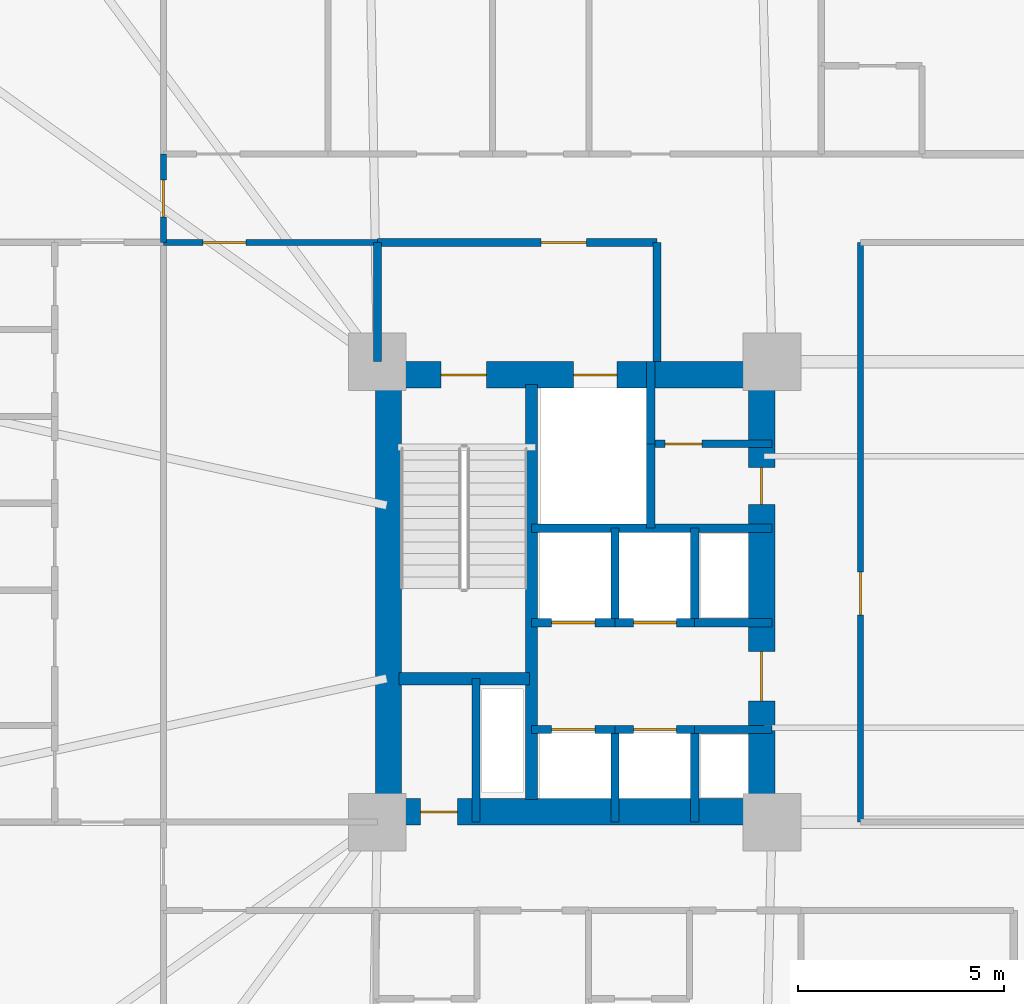
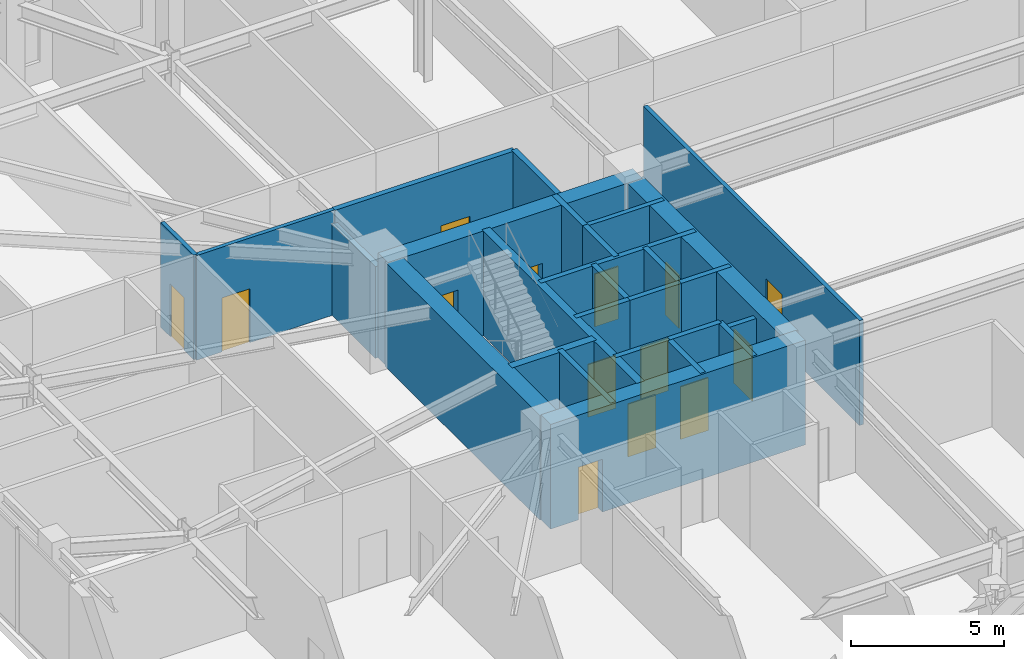
# One storey, part 12 of 21: 27 walls, 14 doors, 14 openings.
"""IFC4 building model written with IfcOpenShell, lengths in metres."""

from ifc_helpers import new_model, si_unit, direction, frame, frame_2d, origin, place, context, subcontext, project, spatial, rectangle, extrude, material, layer, layer_set, type_object, element, fill, save


model = new_model("IFC4")

# Units and contexts
model_context = context("Model", 3, precision=1e-05, world=origin(), true_north=direction((0.0, 1.0)))
body_context = subcontext(model_context, "Body", "Model", "MODEL_VIEW")
ifc_project = project(units=[si_unit("LENGTHUNIT", "METRE"), si_unit("AREAUNIT", "SQUARE_METRE"), si_unit("VOLUMEUNIT", "CUBIC_METRE"), si_unit("PLANEANGLEUNIT", "RADIAN"), si_unit("MASSUNIT", "GRAM", prefix="KILO")], contexts=[model_context])

# Site, building, storey
site_placement = place(None, origin())
site = spatial("IfcSite", under=ifc_project, at=site_placement, CompositionType="ELEMENT")
building_placement = place(site_placement, origin())
building = spatial("IfcBuilding", under=site, at=building_placement, Name="Qobustan Lattice House", CompositionType="ELEMENT")
storey_placement = place(building_placement, frame((0.0, 0.0, 18.0)))
storey = spatial("IfcBuildingStorey", under=building, at=storey_placement, Name="L04", CompositionType="ELEMENT", Elevation=18.0)

# Wall, openings, doors
ifc_material_1 = material(Name="Concrete C60/75", Category="concrete")
ifc_layer_1 = layer(ifc_material_1, 0.639892578125)
ifc_layer_set_1 = layer_set([ifc_layer_1], Name="Concrete C60/75")
wall_type_1 = type_object("IfcWallType", Name="WAL-CORE-640", PredefinedType="SHEAR", material=ifc_layer_set_1)
wall_1_placement = place(storey_placement, frame((-18.800048828125, 5.280029296875, 0.0), z_axis=(0.0, 0.0, 1.0), x_axis=(1.0, 0.0, 0.0)))
wall_1 = element("IfcWall", 1, at=wall_1_placement, inside=storey, type_object=wall_type_1, Name="L04 split-core shear wall CW-N", PredefinedType="SHEAR", context=body_context, shape_type="SweptSolid", body=[
    extrude(rectangle(XDim=9.60009765625, YDim=0.639892578125, at=frame_2d((4.800048828125, 0.0))), origin(), (0.0, 0.0, 1.0), 4.169921875),
])
opening_1_placement = place(wall_1_placement, frame((1.550048828125, 0.0, 0.0)))
opening_1 = element("IfcOpeningElement", 2, at=opening_1_placement, cuts=wall_1, Name="Opening SD-01", PredefinedType="OPENING", context=body_context, shape_type="SweptSolid", body=[
    extrude(rectangle(XDim=1.10009765625, YDim=2.14990234375, at=frame_2d((0.550048828125, 1.074951171875))), frame((0.0, 0.329833984375, 0.0), z_axis=(0.0, -1.0, 0.0), x_axis=(1.0, 0.0, 0.0)), (0.0, 0.0, 1.0), 0.659912109375),
])
opening_2_placement = place(wall_1_placement, frame((4.77490234375, 0.0, 0.0)))
opening_2 = element("IfcOpeningElement", 3, at=opening_2_placement, cuts=wall_1, Name="Opening LD-01", PredefinedType="OPENING", context=body_context, shape_type="SweptSolid", body=[
    extrude(rectangle(XDim=1.050048828125, YDim=2.10009765625, at=frame_2d((0.52490234375, 1.050048828125))), frame((0.0, 0.329833984375, 0.0), z_axis=(0.0, -1.0, 0.0), x_axis=(1.0, 0.0, 0.0)), (0.0, 0.0, 1.0), 0.659912109375),
])
ifc_material_2 = material(Name="Persian walnut timber and steel frame door", Category="steel")
door_type_1 = type_object("IfcDoorType", Name="DOR-LIFT-LD-1050x2100", OperationType="NOTDEFINED", PredefinedType="DOOR", material=ifc_material_2)
door_1_placement = place(opening_2_placement, origin())
door_1 = element("IfcDoor", 4, at=door_1_placement, inside=storey, type_object=door_type_1, Name="L04 firefighting lift FF-W landing door", OperationType="DOUBLE_DOOR_SLIDING", OverallHeight=2.10009765625, OverallWidth=1.050048828125, PredefinedType="DOOR", context=body_context, shape_type="SweptSolid", body=[
    extrude(rectangle(XDim=1.050048828125, YDim=2.10009765625, at=frame_2d((0.52490234375, 1.050048828125))), frame((0.0, 0.02490234375, 0.0), z_axis=(0.0, -1.0, 0.0), x_axis=(1.0, 0.0, 0.0)), (0.0, 0.0, 1.0), 0.050048828125),
])
fill(opening_2, door_1)
ifc_material_3 = material(Name="Persian walnut timber and steel frame door", Category="steel")
door_type_2 = type_object("IfcDoorType", Name="DOR-STAIR-FD-1100x2150", OperationType="NOTDEFINED", PredefinedType="DOOR", material=ifc_material_3)
door_2_placement = place(opening_1_placement, origin())
door_2 = element("IfcDoor", 5, at=door_2_placement, inside=storey, type_object=door_type_2, Name="L04 exit stair ST-W1 fire door", OperationType="SINGLE_SWING_LEFT", OverallHeight=2.14990234375, OverallWidth=1.10009765625, PredefinedType="DOOR", context=body_context, shape_type="SweptSolid", body=[
    extrude(rectangle(XDim=1.10009765625, YDim=2.14990234375, at=frame_2d((0.550048828125, 1.074951171875))), frame((0.0, 0.02490234375, 0.0), z_axis=(0.0, -1.0, 0.0), x_axis=(1.0, 0.0, 0.0)), (0.0, 0.0, 1.0), 0.050048828125),
])
fill(opening_1, door_2)

# Wall, opening, door
wall_2_placement = place(storey_placement, frame((-18.800048828125, -5.35009765625, 0.0), z_axis=(0.0, 0.0, 1.0), x_axis=(1.0, 0.0, 0.0)))
wall_2 = element("IfcWall", 6, at=wall_2_placement, inside=storey, type_object=wall_type_1, Name="L04 split-core shear wall CW-S", PredefinedType="SHEAR", context=body_context, shape_type="SweptSolid", body=[
    extrude(rectangle(XDim=9.60009765625, YDim=0.639892578125, at=frame_2d((4.800048828125, 0.0))), origin(), (0.0, 0.0, 1.0), 4.169921875),
])
opening_3_placement = place(wall_2_placement, frame((1.050048828125, 0.0, 0.0)))
opening_3 = element("IfcOpeningElement", 7, at=opening_3_placement, cuts=wall_2, Name="Opening RD-01", PredefinedType="OPENING", context=body_context, shape_type="SweptSolid", body=[
    extrude(rectangle(XDim=0.89990234375, YDim=2.10009765625, at=frame_2d((0.449951171875, 1.050048828125))), frame((0.0, 0.329833984375, 0.0), z_axis=(0.0, -1.0, 0.0), x_axis=(1.0, 0.0, 0.0)), (0.0, 0.0, 1.0), 0.659912109375),
])
ifc_material_4 = material(Name="Persian walnut timber and steel frame door", Category="steel")
door_type_3 = type_object("IfcDoorType", Name="DOR-RISER-FD-900x2100", OperationType="NOTDEFINED", PredefinedType="DOOR", material=ifc_material_4)
door_3_placement = place(opening_3_placement, origin())
door_3 = element("IfcDoor", 8, at=door_3_placement, inside=storey, type_object=door_type_3, Name="L04 core service riser access door W", OperationType="SINGLE_SWING_LEFT", OverallHeight=2.10009765625, OverallWidth=0.89990234375, PredefinedType="DOOR", context=body_context, shape_type="SweptSolid", body=[
    extrude(rectangle(XDim=0.89990234375, YDim=2.10009765625, at=frame_2d((0.449951171875, 1.050048828125))), frame((0.0, 0.02490234375, 0.0), z_axis=(0.0, -1.0, 0.0), x_axis=(1.0, 0.0, 0.0)), (0.0, 0.0, 1.0), 0.050048828125),
])
fill(opening_3, door_3)

# Wall
wall_3_placement = place(storey_placement, frame((-18.530029296875, -5.050048828125, 0.0), z_axis=(0.0, 0.0, 1.0), x_axis=(0.0, 1.0, 0.0)))
element("IfcWall", 9, at=wall_3_placement, inside=storey, type_object=wall_type_1, Name="L04 split-core shear wall CW-W", PredefinedType="SHEAR", context=body_context, shape_type="SweptSolid", body=[
    extrude(rectangle(XDim=10.10009765625, YDim=0.639892578125, at=frame_2d((5.050048828125, 0.0))), origin(), (0.0, 0.0, 1.0), 4.169921875),
])

# Wall, openings, doors
wall_4_placement = place(storey_placement, frame((-9.449951171875, -5.050048828125, 0.0), z_axis=(0.0, 0.0, 1.0), x_axis=(0.0, 1.0, 0.0)))
wall_4 = element("IfcWall", 10, at=wall_4_placement, inside=storey, type_object=wall_type_1, Name="L04 split-core shear wall CW-E", PredefinedType="SHEAR", context=body_context, shape_type="SweptSolid", body=[
    extrude(rectangle(XDim=10.10009765625, YDim=0.639892578125, at=frame_2d((5.050048828125, 0.0))), origin(), (0.0, 0.0, 1.0), 4.169921875),
])
opening_4_placement = place(wall_4_placement, frame((7.175048828125, 0.0, 0.0)))
opening_4 = element("IfcOpeningElement", 11, at=opening_4_placement, cuts=wall_4, Name="Opening RD-01", PredefinedType="OPENING", context=body_context, shape_type="SweptSolid", body=[
    extrude(rectangle(XDim=0.89990234375, YDim=2.10009765625, at=frame_2d((0.449951171875, 1.050048828125))), frame((0.0, 0.329833984375, 0.0), z_axis=(0.0, -1.0, 0.0), x_axis=(1.0, 0.0, 0.0)), (0.0, 0.0, 1.0), 0.659912109375),
])
opening_5_placement = place(wall_4_placement, frame((2.39990234375, 0.0, 0.0)))
opening_5 = element("IfcOpeningElement", 12, at=opening_5_placement, cuts=wall_4, Name="Opening FD-01", PredefinedType="OPENING", context=body_context, shape_type="SweptSolid", body=[
    extrude(rectangle(XDim=1.199951171875, YDim=2.14990234375, at=frame_2d((0.60009765625, 1.074951171875))), frame((0.0, 0.329833984375, 0.0), z_axis=(0.0, -1.0, 0.0), x_axis=(1.0, 0.0, 0.0)), (0.0, 0.0, 1.0), 0.659912109375),
])
ifc_material_5 = material(Name="Persian walnut timber and steel frame door", Category="steel")
door_type_4 = type_object("IfcDoorType", Name="DOR-LOBBY-FD-1200x2150", OperationType="NOTDEFINED", PredefinedType="DOOR", material=ifc_material_5)
door_4_placement = place(opening_5_placement, origin())
door_4 = element("IfcDoor", 13, at=door_4_placement, inside=storey, type_object=door_type_4, Name="L04 West passenger lift lobby fire door", OperationType="SINGLE_SWING_LEFT", OverallHeight=2.14990234375, OverallWidth=1.199951171875, PredefinedType="DOOR", context=body_context, shape_type="SweptSolid", body=[
    extrude(rectangle(XDim=1.199951171875, YDim=2.14990234375, at=frame_2d((0.60009765625, 1.074951171875))), frame((0.0, 0.02490234375, 0.0), z_axis=(0.0, -1.0, 0.0), x_axis=(1.0, 0.0, 0.0)), (0.0, 0.0, 1.0), 0.050048828125),
])
fill(opening_5, door_4)
door_5_placement = place(opening_4_placement, origin())
door_5 = element("IfcDoor", 14, at=door_5_placement, inside=storey, type_object=door_type_3, Name="L04 Core utility lobby fire door", OperationType="SINGLE_SWING_RIGHT", OverallHeight=2.10009765625, OverallWidth=0.89990234375, PredefinedType="DOOR", context=body_context, shape_type="SweptSolid", body=[
    extrude(rectangle(XDim=0.89990234375, YDim=2.10009765625, at=frame_2d((0.449951171875, 1.050048828125))), frame((0.0, 0.02490234375, 0.0), z_axis=(0.0, -1.0, 0.0), x_axis=(1.0, 0.0, 0.0)), (0.0, 0.0, 1.0), 0.050048828125),
])
fill(opening_4, door_5)

# Walls
ifc_material_6 = material(Name="Concrete C50/60", Category="concrete")
ifc_layer_2 = layer(ifc_material_6, 0.280029296875)
ifc_layer_set_2 = layer_set([ifc_layer_2], Name="Concrete C50/60")
wall_type_2 = type_object("IfcWallType", Name="WAL-CORE-SPINE-280", PredefinedType="SHEAR", material=ifc_layer_set_2)
wall_5_placement = place(storey_placement, frame((-15.050048828125, -5.050048828125, 0.0), z_axis=(0.0, 0.0, 1.0), x_axis=(0.0, 1.0, 0.0)))
element("IfcWall", 15, at=wall_5_placement, inside=storey, type_object=wall_type_2, Name="L04 split-core shear wall CW-M", PredefinedType="SHEAR", context=body_context, shape_type="SweptSolid", body=[
    extrude(rectangle(XDim=10.10009765625, YDim=0.300048828125, at=frame_2d((5.050048828125, 0.0))), origin(), (0.0, 0.0, 1.0), 4.169921875),
])
wall_6_placement = place(storey_placement, frame((-18.280029296875, -2.110107421875, 0.0), z_axis=(0.0, 0.0, 1.0), x_axis=(1.0, 0.0, 0.0)))
element("IfcWall", 16, at=wall_6_placement, inside=storey, type_object=wall_type_2, Name="L04 split-core shear wall CW-ST", PredefinedType="SHEAR", context=body_context, shape_type="SweptSolid", body=[
    extrude(rectangle(XDim=3.179931640625, YDim=0.300048828125, at=frame_2d((1.58984375, 0.0))), origin(), (0.0, 0.0, 1.0), 4.169921875),
])

# Wall, opening, door
ifc_material_7 = material(Name="Gypsum fireboard acoustic partition", Category="gypsum")
ifc_layer_3 = layer(ifc_material_7, 0.179931640625)
ifc_layer_set_3 = layer_set([ifc_layer_3], Name="Gypsum fireboard acoustic partition")
wall_type_3 = type_object("IfcWallType", Name="WAL-FIRE-180", PredefinedType="PARTITIONING", material=ifc_layer_set_3)
wall_7_placement = place(storey_placement, frame((-9.199951171875, 3.60009765625, 0.0), z_axis=(0.0, 0.0, 1.0), x_axis=(-1.0, 0.0, 0.0)))
wall_7 = element("IfcWall", 17, at=wall_7_placement, inside=storey, type_object=wall_type_3, Name="L04 interior partition 7", PredefinedType="PARTITIONING", context=body_context, shape_type="SweptSolid", body=[
    extrude(rectangle(XDim=2.949951171875, YDim=0.179931640625, at=frame_2d((1.47509765625, 0.0))), origin(), (0.0, 0.0, 1.0), 4.169921875),
])
opening_6_placement = place(wall_7_placement, frame((1.699951171875, 0.0, 0.0)))
opening_6 = element("IfcOpeningElement", 18, at=opening_6_placement, cuts=wall_7, Name="Opening RD-01", PredefinedType="OPENING", context=body_context, shape_type="SweptSolid", body=[
    extrude(rectangle(XDim=0.89990234375, YDim=2.10009765625, at=frame_2d((0.449951171875, 1.050048828125))), frame((0.0, 0.099853515625, 0.0), z_axis=(0.0, -1.0, 0.0), x_axis=(1.0, 0.0, 0.0)), (0.0, 0.0, 1.0), 0.199951171875),
])
door_6_placement = place(opening_6_placement, origin())
door_6 = element("IfcDoor", 19, at=door_6_placement, inside=storey, type_object=door_type_3, Name="L04 Core utility lobby to Cleaner store door", OperationType="SINGLE_SWING_LEFT", OverallHeight=2.10009765625, OverallWidth=0.89990234375, PredefinedType="DOOR", context=body_context, shape_type="SweptSolid", body=[
    extrude(rectangle(XDim=0.89990234375, YDim=2.10009765625, at=frame_2d((0.449951171875, 1.050048828125))), frame((0.0, 0.02490234375, 0.0), z_axis=(0.0, -1.0, 0.0), x_axis=(1.0, 0.0, 0.0)), (0.0, 0.0, 1.0), 0.050048828125),
])
fill(opening_6, door_6)

ifc_material_8 = material(Name="Acoustic twin-stud gypsum partition", Category="gypsum")
ifc_layer_4 = layer(ifc_material_8, 0.14990234375)
ifc_layer_set_4 = layer_set([ifc_layer_4], Name="Acoustic twin-stud gypsum partition")
wall_type_4 = type_object("IfcWallType", Name="WAL-PART-150", PredefinedType="PARTITIONING", material=ifc_layer_set_4)
wall_8_placement = place(storey_placement, frame((-24.0, 8.5, 0.0), z_axis=(0.0, 0.0, 1.0), x_axis=(0.0, 1.0, 0.0)))
wall_8 = element("IfcWall", 20, at=wall_8_placement, inside=storey, type_object=wall_type_4, Name="L04 interior partition 37", PredefinedType="PARTITIONING", context=body_context, shape_type="SweptSolid", body=[
    extrude(rectangle(XDim=2.14990234375, YDim=0.14990234375, at=frame_2d((1.074951171875, 0.0))), origin(), (0.0, 0.0, 1.0), 4.169921875),
])
opening_7_placement = place(wall_8_placement, frame((0.625, 0.0, 0.0)))
opening_7 = element("IfcOpeningElement", 21, at=opening_7_placement, cuts=wall_8, Name="Opening WD-01", PredefinedType="OPENING", context=body_context, shape_type="SweptSolid", body=[
    extrude(rectangle(XDim=0.89990234375, YDim=2.10009765625, at=frame_2d((0.449951171875, 1.050048828125))), frame((0.0, 0.0849609375, 0.0), z_axis=(0.0, -1.0, 0.0), x_axis=(1.0, 0.0, 0.0)), (0.0, 0.0, 1.0), 0.169921875),
])
ifc_material_9 = material(Name="Persian walnut timber and steel frame door", Category="steel")
door_type_5 = type_object("IfcDoorType", Name="DOR-WET-900x2100", OperationType="NOTDEFINED", PredefinedType="DOOR", material=ifc_material_9)
door_7_placement = place(opening_7_placement, origin())
door_7 = element("IfcDoor", 22, at=door_7_placement, inside=storey, type_object=door_type_5, Name="L04 North-west podium corridor to Reading seminar room L04WN door", OperationType="SINGLE_SWING_LEFT", OverallHeight=2.10009765625, OverallWidth=0.89990234375, PredefinedType="DOOR", context=body_context, shape_type="SweptSolid", body=[
    extrude(rectangle(XDim=0.89990234375, YDim=2.10009765625, at=frame_2d((0.449951171875, 1.050048828125))), frame((0.0, 0.02490234375, 0.0), z_axis=(0.0, -1.0, 0.0), x_axis=(1.0, 0.0, 0.0)), (0.0, 0.0, 1.0), 0.050048828125),
])
fill(opening_7, door_7)

wall_9_placement = place(storey_placement, frame((-18.800048828125, 8.5, 0.0), z_axis=(0.0, 0.0, 1.0), x_axis=(-1.0, 0.0, 0.0)))
wall_9 = element("IfcWall", 23, at=wall_9_placement, inside=storey, type_object=wall_type_4, Name="L04 interior partition 38", PredefinedType="PARTITIONING", context=body_context, shape_type="SweptSolid", body=[
    extrude(rectangle(XDim=5.199951171875, YDim=0.14990234375, at=frame_2d((2.60009765625, 0.0))), origin(), (0.0, 0.0, 1.0), 4.169921875),
])
opening_8_placement = place(wall_9_placement, frame((3.1962890625, 0.0, 0.0)))
opening_8 = element("IfcOpeningElement", 24, at=opening_8_placement, cuts=wall_9, Name="Opening ID-02", PredefinedType="OPENING", context=body_context, shape_type="SweptSolid", body=[
    extrude(rectangle(XDim=1.050048828125, YDim=2.14990234375, at=frame_2d((0.52490234375, 1.074951171875))), frame((0.0, 0.0849609375, 0.0), z_axis=(0.0, -1.0, 0.0), x_axis=(1.0, 0.0, 0.0)), (0.0, 0.0, 1.0), 0.169921875),
])
ifc_material_10 = material(Name="Persian walnut timber and steel frame door", Category="steel")
door_type_6 = type_object("IfcDoorType", Name="DOR-STUDY-1050x2150", OperationType="NOTDEFINED", PredefinedType="DOOR", material=ifc_material_10)
door_8_placement = place(opening_8_placement, origin())
door_8 = element("IfcDoor", 25, at=door_8_placement, inside=storey, type_object=door_type_6, Name="L04 North-west podium corridor to West study lounge door", OperationType="SINGLE_SWING_RIGHT", OverallHeight=2.14990234375, OverallWidth=1.050048828125, PredefinedType="DOOR", context=body_context, shape_type="SweptSolid", body=[
    extrude(rectangle(XDim=1.050048828125, YDim=2.14990234375, at=frame_2d((0.52490234375, 1.074951171875))), frame((0.0, 0.02490234375, 0.0), z_axis=(0.0, -1.0, 0.0), x_axis=(1.0, 0.0, 0.0)), (0.0, 0.0, 1.0), 0.050048828125),
])
fill(opening_8, door_8)

wall_10_placement = place(storey_placement, frame((-7.050048828125, 8.5, 0.0), z_axis=(0.0, 0.0, 1.0), x_axis=(0.0, -1.0, 0.0)))
wall_10 = element("IfcWall", 26, at=wall_10_placement, inside=storey, type_object=wall_type_4, Name="L04 interior partition 75", PredefinedType="PARTITIONING", context=body_context, shape_type="SweptSolid", body=[
    extrude(rectangle(XDim=14.10009765625, YDim=0.14990234375, at=frame_2d((7.050048828125, 0.0))), origin(), (0.0, 0.0, 1.0), 4.169921875),
])
opening_9_placement = place(wall_10_placement, frame((8.01123046875, 0.0, 0.0)))
opening_9 = element("IfcOpeningElement", 27, at=opening_9_placement, cuts=wall_10, Name="Opening ID-02", PredefinedType="OPENING", context=body_context, shape_type="SweptSolid", body=[
    extrude(rectangle(XDim=1.050048828125, YDim=2.14990234375, at=frame_2d((0.52490234375, 1.074951171875))), frame((0.0, 0.0849609375, 0.0), z_axis=(0.0, -1.0, 0.0), x_axis=(1.0, 0.0, 0.0)), (0.0, 0.0, 1.0), 0.169921875),
])
door_9_placement = place(opening_9_placement, origin())
door_9 = element("IfcDoor", 28, at=door_9_placement, inside=storey, type_object=door_type_6, Name="L04 West podium link corridor to Podium communal study hall door", OperationType="SINGLE_SWING_LEFT", OverallHeight=2.14990234375, OverallWidth=1.050048828125, PredefinedType="DOOR", context=body_context, shape_type="SweptSolid", body=[
    extrude(rectangle(XDim=1.050048828125, YDim=2.14990234375, at=frame_2d((0.52490234375, 1.074951171875))), frame((0.0, 0.02490234375, 0.0), z_axis=(0.0, -1.0, 0.0), x_axis=(1.0, 0.0, 0.0)), (0.0, 0.0, 1.0), 0.050048828125),
])
fill(opening_9, door_9)

ifc_material_11 = material(Name="Two-hour gypsum fireboard acoustic partition", Category="gypsum")
ifc_layer_5 = layer(ifc_material_11, 0.199951171875)
ifc_layer_set_5 = layer_set([ifc_layer_5], Name="Two-hour gypsum fireboard acoustic partition")
wall_type_5 = type_object("IfcWallType", Name="WAL-PROT-200", PredefinedType="PARTITIONING", material=ifc_layer_set_5)
wall_11_placement = place(storey_placement, frame((-12.0, 8.5, 0.0), z_axis=(0.0, 0.0, 1.0), x_axis=(-1.0, 0.0, 0.0)))
wall_11 = element("IfcWall", 29, at=wall_11_placement, inside=storey, type_object=wall_type_5, Name="L04 interior partition 4", PredefinedType="PARTITIONING", context=body_context, shape_type="SweptSolid", body=[
    extrude(rectangle(XDim=6.800048828125, YDim=0.199951171875, at=frame_2d((3.39990234375, 0.0))), origin(), (0.0, 0.0, 1.0), 4.169921875),
])
opening_10_placement = place(wall_11_placement, frame((1.715087890625, 0.0, 0.0)))
opening_10 = element("IfcOpeningElement", 30, at=opening_10_placement, cuts=wall_11, Name="Opening SD-01", PredefinedType="OPENING", context=body_context, shape_type="SweptSolid", body=[
    extrude(rectangle(XDim=1.10009765625, YDim=2.14990234375, at=frame_2d((0.550048828125, 1.074951171875))), frame((0.0, 0.10986328125, 0.0), z_axis=(0.0, -1.0, 0.0), x_axis=(1.0, 0.0, 0.0)), (0.0, 0.0, 1.0), 0.219970703125),
])
door_10_placement = place(opening_10_placement, origin())
door_10 = element("IfcDoor", 31, at=door_10_placement, inside=storey, type_object=door_type_2, Name="L04 West firefighting lift lobby to North-west podium corridor door", OperationType="SINGLE_SWING_RIGHT", OverallHeight=2.14990234375, OverallWidth=1.10009765625, PredefinedType="DOOR", context=body_context, shape_type="SweptSolid", body=[
    extrude(rectangle(XDim=1.10009765625, YDim=2.14990234375, at=frame_2d((0.550048828125, 1.074951171875))), frame((0.0, 0.02490234375, 0.0), z_axis=(0.0, -1.0, 0.0), x_axis=(1.0, 0.0, 0.0)), (0.0, 0.0, 1.0), 0.050048828125),
])
fill(opening_10, door_10)

# Walls
wall_12_placement = place(storey_placement, frame((-12.0, 5.60009765625, 0.0), z_axis=(0.0, 0.0, 1.0), x_axis=(0.0, 1.0, 0.0)))
element("IfcWall", 32, at=wall_12_placement, inside=storey, type_object=wall_type_5, Name="L04 interior partition 5", PredefinedType="PARTITIONING", context=body_context, shape_type="SweptSolid", body=[
    extrude(rectangle(XDim=2.89990234375, YDim=0.199951171875, at=frame_2d((1.449951171875, 0.0))), origin(), (0.0, 0.0, 1.0), 4.169921875),
])
wall_13_placement = place(storey_placement, frame((-18.800048828125, 8.5, 0.0), z_axis=(0.0, 0.0, 1.0), x_axis=(0.0, -1.0, 0.0)))
element("IfcWall", 33, at=wall_13_placement, inside=storey, type_object=wall_type_5, Name="L04 interior partition 6", PredefinedType="PARTITIONING", context=body_context, shape_type="SweptSolid", body=[
    extrude(rectangle(XDim=2.89990234375, YDim=0.199951171875, at=frame_2d((1.449951171875, 0.0))), origin(), (0.0, 0.0, 1.0), 3.655029296875),
])
ifc_material_12 = material(Name="Concrete C40/50", Category="concrete")
ifc_layer_6 = layer(ifc_material_12, 0.199951171875)
ifc_layer_set_6 = layer_set([ifc_layer_6], Name="Concrete C40/50")
wall_type_6 = type_object("IfcWallType", Name="WAL-SHAFT-200", PredefinedType="PARTITIONING", material=ifc_layer_set_6)
wall_14_placement = place(storey_placement, frame((-16.39990234375, -5.60009765625, 0.0), z_axis=(0.0, 0.0, 1.0), x_axis=(0.0, 1.0, 0.0)))
element("IfcWall", 34, at=wall_14_placement, inside=storey, type_object=wall_type_6, Name="L04 interior partition 1", PredefinedType="PARTITIONING", context=body_context, shape_type="SweptSolid", body=[
    extrude(rectangle(XDim=3.489990234375, YDim=0.199951171875, at=frame_2d((1.7451171875, 0.0))), origin(), (0.0, 0.0, 1.0), 4.169921875),
])
wall_15_placement = place(storey_placement, frame((-12.14990234375, 1.550048828125, 0.0), z_axis=(0.0, 0.0, 1.0), x_axis=(0.0, 1.0, 0.0)))
element("IfcWall", 35, at=wall_15_placement, inside=storey, type_object=wall_type_6, Name="L04 interior partition 2", PredefinedType="PARTITIONING", context=body_context, shape_type="SweptSolid", body=[
    extrude(rectangle(XDim=2.050048828125, YDim=0.199951171875, at=frame_2d((1.02490234375, 0.0))), origin(), (0.0, 0.0, 1.0), 4.169921875),
])
wall_16_placement = place(storey_placement, frame((-12.14990234375, 3.60009765625, 0.0), z_axis=(0.0, 0.0, 1.0), x_axis=(0.0, 1.0, 0.0)))
element("IfcWall", 36, at=wall_16_placement, inside=storey, type_object=wall_type_6, Name="L04 interior partition 3", PredefinedType="PARTITIONING", context=body_context, shape_type="SweptSolid", body=[
    extrude(rectangle(XDim=2.0, YDim=0.199951171875, at=frame_2d((1.0, 0.0))), origin(), (0.0, 0.0, 1.0), 4.169921875),
])

# Wall, opening, door
wall_17_placement = place(storey_placement, frame((-15.050048828125, -3.35009765625, 0.0), z_axis=(0.0, 0.0, 1.0), x_axis=(1.0, 0.0, 0.0)))
wall_17 = element("IfcWall", 37, at=wall_17_placement, inside=storey, type_object=wall_type_6, Name="L04 interior partition 9", PredefinedType="PARTITIONING", context=body_context, shape_type="SweptSolid", body=[
    extrude(rectangle(XDim=2.030029296875, YDim=0.199951171875, at=frame_2d((1.01513671875, 0.0))), origin(), (0.0, 0.0, 1.0), 4.169921875),
])
opening_11_placement = place(wall_17_placement, frame((0.489990234375, 0.0, 0.0)))
opening_11 = element("IfcOpeningElement", 38, at=opening_11_placement, cuts=wall_17, Name="Opening LD-01", PredefinedType="OPENING", context=body_context, shape_type="SweptSolid", body=[
    extrude(rectangle(XDim=1.050048828125, YDim=2.10009765625, at=frame_2d((0.52490234375, 1.050048828125))), frame((0.0, 0.10986328125, 0.0), z_axis=(0.0, -1.0, 0.0), x_axis=(1.0, 0.0, 0.0)), (0.0, 0.0, 1.0), 0.219970703125),
])
door_11_placement = place(opening_11_placement, origin())
door_11 = element("IfcDoor", 39, at=door_11_placement, inside=storey, type_object=door_type_1, Name="L04 lift landing door", OperationType="DOUBLE_DOOR_SLIDING", OverallHeight=2.10009765625, OverallWidth=1.050048828125, PredefinedType="DOOR", context=body_context, shape_type="SweptSolid", body=[
    extrude(rectangle(XDim=1.050048828125, YDim=2.10009765625, at=frame_2d((0.52490234375, 1.050048828125))), frame((0.0, 0.02490234375, 0.0), z_axis=(0.0, -1.0, 0.0), x_axis=(1.0, 0.0, 0.0)), (0.0, 0.0, 1.0), 0.050048828125),
])
fill(opening_11, door_11)

wall_18_placement = place(storey_placement, frame((-13.02001953125, -3.35009765625, 0.0), z_axis=(0.0, 0.0, 1.0), x_axis=(1.0, 0.0, 0.0)))
wall_18 = element("IfcWall", 40, at=wall_18_placement, inside=storey, type_object=wall_type_6, Name="L04 interior partition 10", PredefinedType="PARTITIONING", context=body_context, shape_type="SweptSolid", body=[
    extrude(rectangle(XDim=1.93994140625, YDim=0.199951171875, at=frame_2d((0.969970703125, 0.0))), origin(), (0.0, 0.0, 1.0), 4.169921875),
])
opening_12_placement = place(wall_18_placement, frame((0.445068359375, 0.0, 0.0)))
opening_12 = element("IfcOpeningElement", 41, at=opening_12_placement, cuts=wall_18, Name="Opening LD-01", PredefinedType="OPENING", context=body_context, shape_type="SweptSolid", body=[
    extrude(rectangle(XDim=1.050048828125, YDim=2.10009765625, at=frame_2d((0.52490234375, 1.050048828125))), frame((0.0, 0.10986328125, 0.0), z_axis=(0.0, -1.0, 0.0), x_axis=(1.0, 0.0, 0.0)), (0.0, 0.0, 1.0), 0.219970703125),
])
door_12_placement = place(opening_12_placement, origin())
door_12 = element("IfcDoor", 42, at=door_12_placement, inside=storey, type_object=door_type_1, Name="L04 lift landing door", OperationType="DOUBLE_DOOR_SLIDING", OverallHeight=2.10009765625, OverallWidth=1.050048828125, PredefinedType="DOOR", context=body_context, shape_type="SweptSolid", body=[
    extrude(rectangle(XDim=1.050048828125, YDim=2.10009765625, at=frame_2d((0.52490234375, 1.050048828125))), frame((0.0, 0.02490234375, 0.0), z_axis=(0.0, -1.0, 0.0), x_axis=(1.0, 0.0, 0.0)), (0.0, 0.0, 1.0), 0.050048828125),
])
fill(opening_12, door_12)

# Wall
wall_19_placement = place(storey_placement, frame((-11.080078125, -3.35009765625, 0.0), z_axis=(0.0, 0.0, 1.0), x_axis=(1.0, 0.0, 0.0)))
element("IfcWall", 43, at=wall_19_placement, inside=storey, type_object=wall_type_6, Name="L04 interior partition 11", PredefinedType="PARTITIONING", context=body_context, shape_type="SweptSolid", body=[
    extrude(rectangle(XDim=1.880126953125, YDim=0.199951171875, at=frame_2d((0.93994140625, 0.0))), origin(), (0.0, 0.0, 1.0), 3.885009765625),
])

# Wall, opening, door
wall_20_placement = place(storey_placement, frame((-13.02001953125, -0.75, 0.0), z_axis=(0.0, 0.0, 1.0), x_axis=(-1.0, 0.0, 0.0)))
wall_20 = element("IfcWall", 44, at=wall_20_placement, inside=storey, type_object=wall_type_6, Name="L04 interior partition 12", PredefinedType="PARTITIONING", context=body_context, shape_type="SweptSolid", body=[
    extrude(rectangle(XDim=2.030029296875, YDim=0.199951171875, at=frame_2d((1.01513671875, 0.0))), origin(), (0.0, 0.0, 1.0), 4.169921875),
])
opening_13_placement = place(wall_20_placement, frame((0.489990234375, 0.0, 0.0)))
opening_13 = element("IfcOpeningElement", 45, at=opening_13_placement, cuts=wall_20, Name="Opening LD-01", PredefinedType="OPENING", context=body_context, shape_type="SweptSolid", body=[
    extrude(rectangle(XDim=1.050048828125, YDim=2.10009765625, at=frame_2d((0.52490234375, 1.050048828125))), frame((0.0, 0.10986328125, 0.0), z_axis=(0.0, -1.0, 0.0), x_axis=(1.0, 0.0, 0.0)), (0.0, 0.0, 1.0), 0.219970703125),
])
door_13_placement = place(opening_13_placement, origin())
door_13 = element("IfcDoor", 46, at=door_13_placement, inside=storey, type_object=door_type_1, Name="L04 lift landing door", OperationType="DOUBLE_DOOR_SLIDING", OverallHeight=2.10009765625, OverallWidth=1.050048828125, PredefinedType="DOOR", context=body_context, shape_type="SweptSolid", body=[
    extrude(rectangle(XDim=1.050048828125, YDim=2.10009765625, at=frame_2d((0.52490234375, 1.050048828125))), frame((0.0, 0.02490234375, 0.0), z_axis=(0.0, -1.0, 0.0), x_axis=(1.0, 0.0, 0.0)), (0.0, 0.0, 1.0), 0.050048828125),
])
fill(opening_13, door_13)

wall_21_placement = place(storey_placement, frame((-11.080078125, -0.75, 0.0), z_axis=(0.0, 0.0, 1.0), x_axis=(-1.0, 0.0, 0.0)))
wall_21 = element("IfcWall", 47, at=wall_21_placement, inside=storey, type_object=wall_type_6, Name="L04 interior partition 13", PredefinedType="PARTITIONING", context=body_context, shape_type="SweptSolid", body=[
    extrude(rectangle(XDim=1.93994140625, YDim=0.199951171875, at=frame_2d((0.969970703125, 0.0))), origin(), (0.0, 0.0, 1.0), 4.169921875),
])
opening_14_placement = place(wall_21_placement, frame((0.445068359375, 0.0, 0.0)))
opening_14 = element("IfcOpeningElement", 48, at=opening_14_placement, cuts=wall_21, Name="Opening LD-01", PredefinedType="OPENING", context=body_context, shape_type="SweptSolid", body=[
    extrude(rectangle(XDim=1.050048828125, YDim=2.10009765625, at=frame_2d((0.52490234375, 1.050048828125))), frame((0.0, 0.10986328125, 0.0), z_axis=(0.0, -1.0, 0.0), x_axis=(1.0, 0.0, 0.0)), (0.0, 0.0, 1.0), 0.219970703125),
])
door_14_placement = place(opening_14_placement, origin())
door_14 = element("IfcDoor", 49, at=door_14_placement, inside=storey, type_object=door_type_1, Name="L04 lift landing door", OperationType="DOUBLE_DOOR_SLIDING", OverallHeight=2.10009765625, OverallWidth=1.050048828125, PredefinedType="DOOR", context=body_context, shape_type="SweptSolid", body=[
    extrude(rectangle(XDim=1.050048828125, YDim=2.10009765625, at=frame_2d((0.52490234375, 1.050048828125))), frame((0.0, 0.02490234375, 0.0), z_axis=(0.0, -1.0, 0.0), x_axis=(1.0, 0.0, 0.0)), (0.0, 0.0, 1.0), 0.050048828125),
])
fill(opening_14, door_14)

# Walls
wall_22_placement = place(storey_placement, frame((-9.199951171875, -0.75, 0.0), z_axis=(0.0, 0.0, 1.0), x_axis=(-1.0, 0.0, 0.0)))
element("IfcWall", 50, at=wall_22_placement, inside=storey, type_object=wall_type_6, Name="L04 interior partition 14", PredefinedType="PARTITIONING", context=body_context, shape_type="SweptSolid", body=[
    extrude(rectangle(XDim=1.880126953125, YDim=0.199951171875, at=frame_2d((0.93994140625, 0.0))), origin(), (0.0, 0.0, 1.0), 4.169921875),
])
for number, where, z_axis, x_axis, name in (
    (51, (-13.02001953125, -5.60009765625, 0.0), (0.0, 0.0, 1.0), (0.0, 1.0, 0.0), "L04 interior partition 16"),
    (52, (-11.080078125, -5.60009765625, 0.0), (0.0, 0.0, 1.0), (0.0, 1.0, 0.0), "L04 interior partition 17"),
):
    element("IfcWall", number, at=place(storey_placement, frame(where, z_axis=z_axis, x_axis=x_axis)), inside=storey, type_object=wall_type_6, Name=name, PredefinedType="PARTITIONING", context=body_context, shape_type="SweptSolid", body=[
        extrude(rectangle(XDim=2.25, YDim=0.199951171875, at=frame_2d((1.125, 0.0))), origin(), (0.0, 0.0, 1.0), 4.169921875),
    ])
for number, where, z_axis, x_axis, name in (
    (53, (-13.02001953125, -0.75, 0.0), (0.0, 0.0, 1.0), (0.0, 1.0, 0.0), "L04 interior partition 18"),
    (54, (-11.080078125, -0.75, 0.0), (0.0, 0.0, 1.0), (0.0, 1.0, 0.0), "L04 interior partition 19"),
):
    element("IfcWall", number, at=place(storey_placement, frame(where, z_axis=z_axis, x_axis=x_axis)), inside=storey, type_object=wall_type_6, Name=name, PredefinedType="PARTITIONING", context=body_context, shape_type="SweptSolid", body=[
        extrude(rectangle(XDim=2.300048828125, YDim=0.199951171875, at=frame_2d((1.14990234375, 0.0))), origin(), (0.0, 0.0, 1.0), 4.169921875),
    ])
wall_23_placement = place(storey_placement, frame((-15.050048828125, 1.550048828125, 0.0), z_axis=(0.0, 0.0, 1.0), x_axis=(1.0, 0.0, 0.0)))
element("IfcWall", 55, at=wall_23_placement, inside=storey, type_object=wall_type_6, Name="L04 interior partition 161", PredefinedType="PARTITIONING", context=body_context, shape_type="SweptSolid", body=[
    extrude(rectangle(XDim=5.85009765625, YDim=0.199951171875, at=frame_2d((2.925048828125, 0.0))), origin(), (0.0, 0.0, 1.0), 4.169921875),
])

save(model, "model.ifc")
